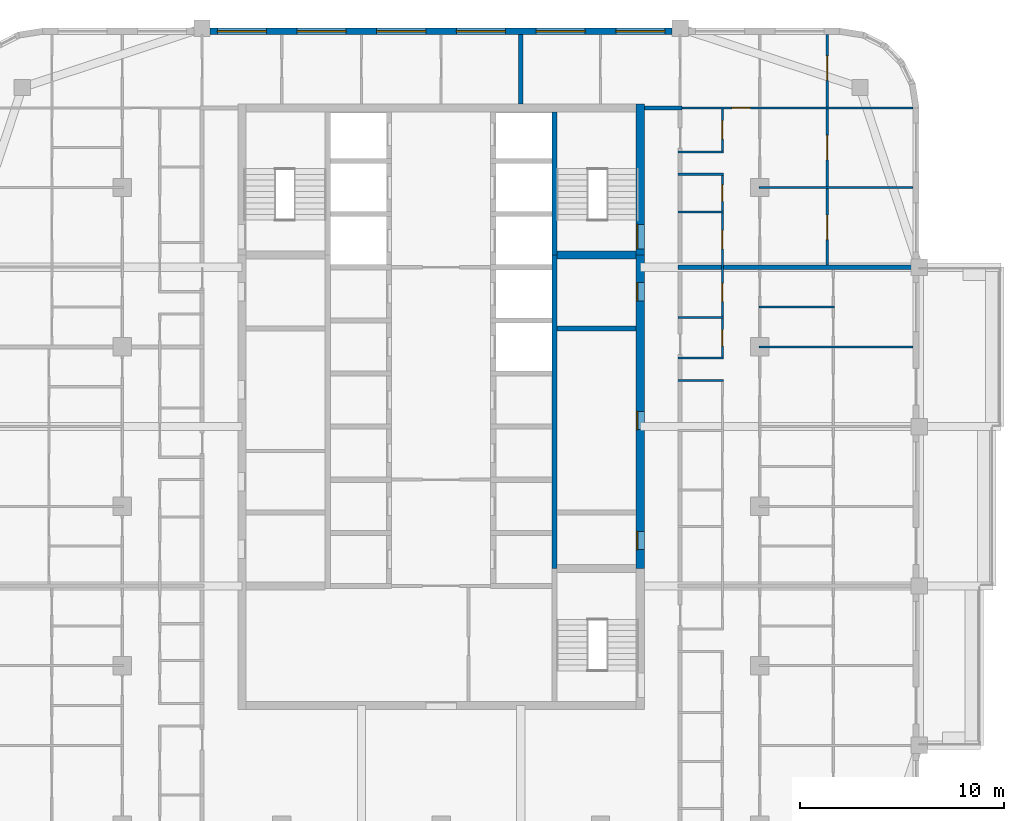
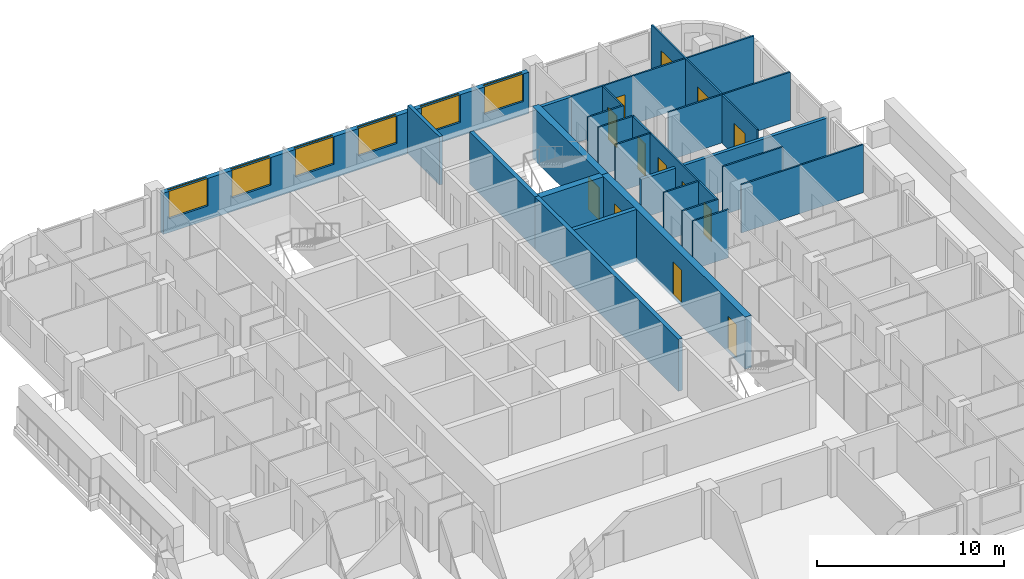
# One storey, part 11 of 16: 23 walls, 13 doors, 6 windows, 19 openings.
"""IFC4 building model written with IfcOpenShell, lengths in metres."""

from ifc_helpers import new_model, si_unit, direction, frame, frame_2d, origin, place, context, subcontext, project, spatial, rectangle, extrude, material, layer, layer_set, type_object, element, fill, save


model = new_model("IFC4")

# Units and contexts
model_context = context("Model", 3, precision=1e-05, world=origin(), true_north=direction((0.0, 1.0)))
body_context = subcontext(model_context, "Body", "Model", "MODEL_VIEW")
ifc_project = project(units=[si_unit("LENGTHUNIT", "METRE"), si_unit("AREAUNIT", "SQUARE_METRE"), si_unit("VOLUMEUNIT", "CUBIC_METRE"), si_unit("PLANEANGLEUNIT", "RADIAN"), si_unit("MASSUNIT", "GRAM", prefix="KILO")], contexts=[model_context])

# Site, building, storey
site_placement = place(None, origin())
site = spatial("IfcSite", under=ifc_project, at=site_placement, CompositionType="ELEMENT")
building_placement = place(site_placement, origin())
building = spatial("IfcBuilding", under=site, at=building_placement, Name="Ludao Terraces", CompositionType="ELEMENT")
storey_placement = place(building_placement, frame((0.0, 0.0, 224.5)))
storey = spatial("IfcBuildingStorey", under=building, at=storey_placement, Name="L61", CompositionType="ELEMENT", Elevation=224.5)

# Wall, openings, doors
ifc_material_1 = material(Name="Concrete C50", Category="concrete")
ifc_layer_1 = layer(ifc_material_1, 0.39990234375)
ifc_layer_set_1 = layer_set([ifc_layer_1], Name="Core wall 400 C50")
wall_type_1 = type_object("IfcWallType", Name="Core wall 400 C50", PredefinedType="SOLIDWALL", material=ifc_layer_set_1)
wall_1_placement = place(storey_placement, frame((94.75, 61.949951171875, -0.25), z_axis=(0.0, 0.0, 1.0), x_axis=(0.0, 1.0, 0.0)))
wall_1 = element("IfcWall", 1, at=wall_1_placement, inside=storey, type_object=wall_type_1, Name="Core wall L61 outer-E", PredefinedType="SOLIDWALL", context=body_context, shape_type="SweptSolid", body=[
    extrude(rectangle(XDim=15.35009765625, YDim=0.39990234375, at=frame_2d((7.675048828125, 0.0))), origin(), (0.0, 0.0, 1.0), 3.39990234375),
])
opening_1_placement = place(wall_1_placement, frame((0.925048828125, 0.0, 0.25)))
opening_1 = element("IfcOpeningElement", 2, at=opening_1_placement, cuts=wall_1, Name="Opening R22-055", PredefinedType="OPENING", context=body_context, shape_type="SweptSolid", body=[
    extrude(rectangle(XDim=0.89990234375, YDim=2.10009765625, at=frame_2d((0.449951171875, 1.050048828125))), frame((0.0, 0.2099609375, 0.0), z_axis=(0.0, -1.0, 0.0), x_axis=(1.0, 0.0, 0.0)), (0.0, 0.0, 1.0), 0.419921875),
])
opening_2_placement = place(wall_1_placement, frame((6.800048828125, 0.0, 0.25)))
opening_2 = element("IfcOpeningElement", 3, at=opening_2_placement, cuts=wall_1, Name="Opening R22-076", PredefinedType="OPENING", context=body_context, shape_type="SweptSolid", body=[
    extrude(rectangle(XDim=0.89990234375, YDim=2.10009765625, at=frame_2d((0.449951171875, 1.050048828125))), frame((0.0, 0.2099609375, 0.0), z_axis=(0.0, -1.0, 0.0), x_axis=(1.0, 0.0, 0.0)), (0.0, 0.0, 1.0), 0.419921875),
])
opening_3_placement = place(wall_1_placement, frame((13.10009765625, 0.0, 0.25)))
opening_3 = element("IfcOpeningElement", 4, at=opening_3_placement, cuts=wall_1, Name="Opening R22-098", PredefinedType="OPENING", context=body_context, shape_type="SweptSolid", body=[
    extrude(rectangle(XDim=0.89990234375, YDim=2.10009765625, at=frame_2d((0.449951171875, 1.050048828125))), frame((0.0, 0.2099609375, 0.0), z_axis=(0.0, -1.0, 0.0), x_axis=(1.0, 0.0, 0.0)), (0.0, 0.0, 1.0), 0.419921875),
])
ifc_material_2 = material(Name="Steel Q235", Category="steel")
door_type_1 = type_object("IfcDoorType", Name="INT Riser door 900", OperationType="SINGLE_SWING_LEFT", PredefinedType="DOOR", material=ifc_material_2)
door_1_placement = place(opening_1_placement, origin())
door_1 = element("IfcDoor", 5, at=door_1_placement, inside=storey, type_object=door_type_1, Name="DOOR 055", OperationType="SINGLE_SWING_LEFT", OverallHeight=2.10009765625, OverallWidth=0.89990234375, PredefinedType="DOOR", context=body_context, shape_type="SweptSolid", body=[
    extrude(rectangle(XDim=0.89990234375, YDim=2.10009765625, at=frame_2d((0.449951171875, 1.050048828125))), frame((0.0, 0.18505859375, 0.0), z_axis=(0.0, -1.0, 0.0), x_axis=(1.0, 0.0, 0.0)), (0.0, 0.0, 1.0), 0.050048828125),
])
fill(opening_1, door_1)
door_2_placement = place(opening_3_placement, origin())
door_2 = element("IfcDoor", 6, at=door_2_placement, inside=storey, type_object=door_type_1, Name="DOOR 098", OperationType="SINGLE_SWING_RIGHT", OverallHeight=2.10009765625, OverallWidth=0.89990234375, PredefinedType="DOOR", context=body_context, shape_type="SweptSolid", body=[
    extrude(rectangle(XDim=0.89990234375, YDim=2.10009765625, at=frame_2d((0.449951171875, 1.050048828125))), frame((0.0, 0.18505859375, 0.0), z_axis=(0.0, -1.0, 0.0), x_axis=(1.0, 0.0, 0.0)), (0.0, 0.0, 1.0), 0.050048828125),
])
fill(opening_3, door_2)
ifc_material_3 = material(Name="Timber door leaf", Category="wood")
door_type_2 = type_object("IfcDoorType", Name="INT Room door 900", OperationType="SINGLE_SWING_LEFT", PredefinedType="DOOR", material=ifc_material_3)
door_3_placement = place(opening_2_placement, origin())
door_3 = element("IfcDoor", 7, at=door_3_placement, inside=storey, type_object=door_type_2, Name="DOOR 076", OperationType="SINGLE_SWING_LEFT", OverallHeight=2.10009765625, OverallWidth=0.89990234375, PredefinedType="DOOR", context=body_context, shape_type="SweptSolid", body=[
    extrude(rectangle(XDim=0.89990234375, YDim=2.10009765625, at=frame_2d((0.449951171875, 1.050048828125))), frame((0.0, 0.18505859375, 0.0), z_axis=(0.0, -1.0, 0.0), x_axis=(1.0, 0.0, 0.0)), (0.0, 0.0, 1.0), 0.050048828125),
])
fill(opening_2, door_3)

# Wall, opening, door
wall_2_placement = place(storey_placement, frame((94.75, 77.300048828125, -0.25), z_axis=(0.0, 0.0, 1.0), x_axis=(0.0, 1.0, 0.0)))
wall_2 = element("IfcWall", 8, at=wall_2_placement, inside=storey, type_object=wall_type_1, Name="Core wall L61 outer-E-S2", PredefinedType="SOLIDWALL", context=body_context, shape_type="SweptSolid", body=[
    extrude(rectangle(XDim=7.39990234375, YDim=0.39990234375, at=frame_2d((3.699951171875, 0.0))), origin(), (0.0, 0.0, 1.0), 3.39990234375),
])
opening_4_placement = place(wall_2_placement, frame((0.300048828125, 0.0, 0.25)))
opening_4 = element("IfcOpeningElement", 9, at=opening_4_placement, cuts=wall_2, Name="Opening R22-110", PredefinedType="OPENING", context=body_context, shape_type="SweptSolid", body=[
    extrude(rectangle(XDim=1.199951171875, YDim=2.10009765625, at=frame_2d((0.60009765625, 1.050048828125))), frame((0.0, 0.2099609375, 0.0), z_axis=(0.0, -1.0, 0.0), x_axis=(1.0, 0.0, 0.0)), (0.0, 0.0, 1.0), 0.419921875),
])
door_type_3 = type_object("IfcDoorType", Name="INT Stair door 1200", OperationType="DOUBLE_DOOR_SINGLE_SWING", PredefinedType="DOOR", material=ifc_material_2)
door_4_placement = place(opening_4_placement, origin())
door_4 = element("IfcDoor", 10, at=door_4_placement, inside=storey, type_object=door_type_3, Name="DOOR 110", OperationType="DOUBLE_DOOR_SINGLE_SWING", OverallHeight=2.10009765625, OverallWidth=1.199951171875, PredefinedType="DOOR", context=body_context, shape_type="SweptSolid", body=[
    extrude(rectangle(XDim=1.199951171875, YDim=2.10009765625, at=frame_2d((0.60009765625, 1.050048828125))), frame((0.0, 0.18505859375, 0.0), z_axis=(0.0, -1.0, 0.0), x_axis=(1.0, 0.0, 0.0)), (0.0, 0.0, 1.0), 0.050048828125),
])
fill(opening_4, door_4)

# Wall, openings, windows
ifc_material_4 = material(Name="Granite cladding", Category="masonry")
ifc_layer_2 = layer(ifc_material_4, 0.0400390625, Category="stone")
ifc_material_5 = material(Name="Mineral wool")
ifc_layer_3 = layer(ifc_material_5, 0.06005859375)
ifc_material_6 = material(Name="Concrete C40", Category="concrete")
ifc_layer_4 = layer(ifc_material_6, 0.199951171875, Category="concrete")
ifc_layer_set_2 = layer_set([ifc_layer_2, ifc_layer_3, ifc_layer_4], Name="ENV Stone-clad wall 300")
wall_type_2 = type_object("IfcWallType", Name="ENV Stone-clad wall 300", PredefinedType="SOLIDWALL", material=ifc_layer_set_2)
wall_3_placement = place(storey_placement, frame((73.699951171875, 88.25, 0.0), z_axis=(0.0, 0.0, 1.0), x_axis=(1.0, 0.0, 0.0)))
wall_3 = element("IfcWall", 11, at=wall_3_placement, inside=storey, type_object=wall_type_2, Name="EW-L61-N2", PredefinedType="SOLIDWALL", context=body_context, shape_type="SweptSolid", body=[
    extrude(rectangle(XDim=22.60009765625, YDim=0.300048828125, at=frame_2d((11.300048828125, 0.0))), origin(), (0.0, 0.0, 1.0), 2.699951171875),
])
opening_5_placement = place(wall_3_placement, frame((0.35009765625, 0.0, 0.89990234375)))
opening_5 = element("IfcOpeningElement", 12, at=opening_5_placement, cuts=wall_3, Name="Opening W1", PredefinedType="OPENING", context=body_context, shape_type="SweptSolid", body=[
    extrude(rectangle(XDim=2.39990234375, YDim=1.800048828125, at=frame_2d((1.199951171875, 0.89990234375))), frame((0.0, 0.16015625, 0.0), z_axis=(0.0, -1.0, 0.0), x_axis=(1.0, 0.0, 0.0)), (0.0, 0.0, 1.0), 0.320068359375),
])
opening_6_placement = place(wall_3_placement, frame((4.25, 0.0, 0.89990234375)))
opening_6 = element("IfcOpeningElement", 13, at=opening_6_placement, cuts=wall_3, Name="Opening W1", PredefinedType="OPENING", context=body_context, shape_type="SweptSolid", body=[
    extrude(rectangle(XDim=2.39990234375, YDim=1.800048828125, at=frame_2d((1.199951171875, 0.89990234375))), frame((0.0, 0.16015625, 0.0), z_axis=(0.0, -1.0, 0.0), x_axis=(1.0, 0.0, 0.0)), (0.0, 0.0, 1.0), 0.320068359375),
])
opening_7_placement = place(wall_3_placement, frame((8.14990234375, 0.0, 0.89990234375)))
opening_7 = element("IfcOpeningElement", 14, at=opening_7_placement, cuts=wall_3, Name="Opening W1", PredefinedType="OPENING", context=body_context, shape_type="SweptSolid", body=[
    extrude(rectangle(XDim=2.39990234375, YDim=1.800048828125, at=frame_2d((1.199951171875, 0.89990234375))), frame((0.0, 0.16015625, 0.0), z_axis=(0.0, -1.0, 0.0), x_axis=(1.0, 0.0, 0.0)), (0.0, 0.0, 1.0), 0.320068359375),
])
opening_8_placement = place(wall_3_placement, frame((12.050048828125, 0.0, 0.89990234375)))
opening_8 = element("IfcOpeningElement", 15, at=opening_8_placement, cuts=wall_3, Name="Opening W1", PredefinedType="OPENING", context=body_context, shape_type="SweptSolid", body=[
    extrude(rectangle(XDim=2.39990234375, YDim=1.800048828125, at=frame_2d((1.199951171875, 0.89990234375))), frame((0.0, 0.16015625, 0.0), z_axis=(0.0, -1.0, 0.0), x_axis=(1.0, 0.0, 0.0)), (0.0, 0.0, 1.0), 0.320068359375),
])
opening_9_placement = place(wall_3_placement, frame((15.949951171875, 0.0, 0.89990234375)))
opening_9 = element("IfcOpeningElement", 16, at=opening_9_placement, cuts=wall_3, Name="Opening W1", PredefinedType="OPENING", context=body_context, shape_type="SweptSolid", body=[
    extrude(rectangle(XDim=2.39990234375, YDim=1.800048828125, at=frame_2d((1.199951171875, 0.89990234375))), frame((0.0, 0.16015625, 0.0), z_axis=(0.0, -1.0, 0.0), x_axis=(1.0, 0.0, 0.0)), (0.0, 0.0, 1.0), 0.320068359375),
])
opening_10_placement = place(wall_3_placement, frame((19.85009765625, 0.0, 0.89990234375)))
opening_10 = element("IfcOpeningElement", 17, at=opening_10_placement, cuts=wall_3, Name="Opening W1", PredefinedType="OPENING", context=body_context, shape_type="SweptSolid", body=[
    extrude(rectangle(XDim=2.39990234375, YDim=1.800048828125, at=frame_2d((1.199951171875, 0.89990234375))), frame((0.0, 0.16015625, 0.0), z_axis=(0.0, -1.0, 0.0), x_axis=(1.0, 0.0, 0.0)), (0.0, 0.0, 1.0), 0.320068359375),
])
ifc_material_7 = material(Name="Clear glass in aluminium frame", Category="aluminium")
ifc_layer_5 = layer(ifc_material_7, 0.06005859375)
ifc_layer_set_3 = layer_set([ifc_layer_5], Name="ENV Window W1 2400x1800")
window_type = type_object("IfcWindowType", Name="ENV Window W1 2400x1800", PartitioningType="DOUBLE_PANEL_VERTICAL", PredefinedType="WINDOW", material=ifc_layer_set_3)
window_1_placement = place(opening_5_placement, origin())
window_1 = element("IfcWindow", 18, at=window_1_placement, inside=storey, type_object=window_type, Name="W-L61-N2-1", OverallHeight=1.800048828125, OverallWidth=2.39990234375, PartitioningType="DOUBLE_PANEL_VERTICAL", PredefinedType="WINDOW", context=body_context, shape_type="SweptSolid", body=[
    extrude(rectangle(XDim=2.39990234375, YDim=1.800048828125, at=frame_2d((1.199951171875, 0.89990234375))), frame((0.0, 0.030029296875, 0.0), z_axis=(0.0, -1.0, 0.0), x_axis=(1.0, 0.0, 0.0)), (0.0, 0.0, 1.0), 0.06005859375),
])
fill(opening_5, window_1)
window_2_placement = place(opening_6_placement, origin())
window_2 = element("IfcWindow", 19, at=window_2_placement, inside=storey, type_object=window_type, Name="W-L61-N2-2", OverallHeight=1.800048828125, OverallWidth=2.39990234375, PartitioningType="DOUBLE_PANEL_VERTICAL", PredefinedType="WINDOW", context=body_context, shape_type="SweptSolid", body=[
    extrude(rectangle(XDim=2.39990234375, YDim=1.800048828125, at=frame_2d((1.199951171875, 0.89990234375))), frame((0.0, 0.030029296875, 0.0), z_axis=(0.0, -1.0, 0.0), x_axis=(1.0, 0.0, 0.0)), (0.0, 0.0, 1.0), 0.06005859375),
])
fill(opening_6, window_2)
window_3_placement = place(opening_7_placement, origin())
window_3 = element("IfcWindow", 20, at=window_3_placement, inside=storey, type_object=window_type, Name="W-L61-N2-3", OverallHeight=1.800048828125, OverallWidth=2.39990234375, PartitioningType="DOUBLE_PANEL_VERTICAL", PredefinedType="WINDOW", context=body_context, shape_type="SweptSolid", body=[
    extrude(rectangle(XDim=2.39990234375, YDim=1.800048828125, at=frame_2d((1.199951171875, 0.89990234375))), frame((0.0, 0.030029296875, 0.0), z_axis=(0.0, -1.0, 0.0), x_axis=(1.0, 0.0, 0.0)), (0.0, 0.0, 1.0), 0.06005859375),
])
fill(opening_7, window_3)
window_4_placement = place(opening_8_placement, origin())
window_4 = element("IfcWindow", 21, at=window_4_placement, inside=storey, type_object=window_type, Name="W-L61-N2-4", OverallHeight=1.800048828125, OverallWidth=2.39990234375, PartitioningType="DOUBLE_PANEL_VERTICAL", PredefinedType="WINDOW", context=body_context, shape_type="SweptSolid", body=[
    extrude(rectangle(XDim=2.39990234375, YDim=1.800048828125, at=frame_2d((1.199951171875, 0.89990234375))), frame((0.0, 0.030029296875, 0.0), z_axis=(0.0, -1.0, 0.0), x_axis=(1.0, 0.0, 0.0)), (0.0, 0.0, 1.0), 0.06005859375),
])
fill(opening_8, window_4)
window_5_placement = place(opening_9_placement, origin())
window_5 = element("IfcWindow", 22, at=window_5_placement, inside=storey, type_object=window_type, Name="W-L61-N2-5", OverallHeight=1.800048828125, OverallWidth=2.39990234375, PartitioningType="DOUBLE_PANEL_VERTICAL", PredefinedType="WINDOW", context=body_context, shape_type="SweptSolid", body=[
    extrude(rectangle(XDim=2.39990234375, YDim=1.800048828125, at=frame_2d((1.199951171875, 0.89990234375))), frame((0.0, 0.030029296875, 0.0), z_axis=(0.0, -1.0, 0.0), x_axis=(1.0, 0.0, 0.0)), (0.0, 0.0, 1.0), 0.06005859375),
])
fill(opening_9, window_5)
window_6_placement = place(opening_10_placement, origin())
window_6 = element("IfcWindow", 23, at=window_6_placement, inside=storey, type_object=window_type, Name="W-L61-N2-6", OverallHeight=1.800048828125, OverallWidth=2.39990234375, PartitioningType="DOUBLE_PANEL_VERTICAL", PredefinedType="WINDOW", context=body_context, shape_type="SweptSolid", body=[
    extrude(rectangle(XDim=2.39990234375, YDim=1.800048828125, at=frame_2d((1.199951171875, 0.89990234375))), frame((0.0, 0.030029296875, 0.0), z_axis=(0.0, -1.0, 0.0), x_axis=(1.0, 0.0, 0.0)), (0.0, 0.0, 1.0), 0.06005859375),
])
fill(opening_10, window_6)

# Walls
ifc_material_8 = material(Name="Autoclaved aerated concrete block B06 A3.5", Category="concrete")
ifc_layer_6 = layer(ifc_material_8, 0.199951171875)
ifc_layer_set_4 = layer_set([ifc_layer_6], Name="INT Entrance wall 200")
wall_type_3 = type_object("IfcWallType", Name="INT Entrance wall 200", PredefinedType="PARTITIONING", material=ifc_layer_set_4)
wall_4_placement = place(storey_placement, frame((94.9501953125, 84.5, 0.0), z_axis=(0.0, 0.0, 1.0), x_axis=(1.0, 0.0, 0.0)))
element("IfcWall", 24, at=wall_4_placement, inside=storey, type_object=wall_type_3, Name="PW-L61-PW067", PredefinedType="PARTITIONING", context=body_context, shape_type="SweptSolid", body=[
    extrude(rectangle(XDim=1.849853515625, YDim=0.199951171875, at=frame_2d((0.9248046875, 0.0))), origin(), (0.0, 0.0, 1.0), 3.14990234375),
])
ifc_material_9 = material(Name="Gypsum plasterboard", Category="gypsum")
ifc_layer_7 = layer(ifc_material_9, 0.012451171875, Category="gypsum")
ifc_layer_8 = layer(ifc_material_5, 0.06005859375, Name="insulation")
ifc_layer_9 = layer(ifc_material_2, 0.014892578125, Name="stud")
ifc_layer_10 = layer(ifc_material_9, 0.012451171875, Category="gypsum")
ifc_layer_set_5 = layer_set([ifc_layer_7, ifc_layer_8, ifc_layer_9, ifc_layer_10], Name="INT Partition 100")
wall_type_4 = type_object("IfcWallType", Name="INT Partition 100", PredefinedType="PARTITIONING", material=ifc_layer_set_5)
for number, where, z_axis, x_axis, name in (
    (25, (96.60009765625, 71.14990234375, 0.0), (0.0, 0.0, 1.0), (1.0, 0.0, 0.0), "PW-L61-PW045"),
    (26, (96.60009765625, 72.25, 0.0), (0.0, 0.0, 1.0), (1.0, 0.0, 0.0), "PW-L61-PW046"),
):
    element("IfcWall", number, at=place(storey_placement, frame(where, z_axis=z_axis, x_axis=x_axis)), inside=storey, type_object=wall_type_4, Name=name, PredefinedType="PARTITIONING", context=body_context, shape_type="SweptSolid", body=[
        extrude(rectangle(XDim=2.219970703125, YDim=0.10009765625, at=frame_2d((1.10986328125, 0.0))), origin(), (0.0, 0.0, 1.0), 3.14990234375),
    ])
wall_5_placement = place(storey_placement, frame((100.550048828125, 72.800048828125, 0.0), z_axis=(0.0, 0.0, 1.0), x_axis=(1.0, 0.0, 0.0)))
element("IfcWall", 27, at=wall_5_placement, inside=storey, type_object=wall_type_4, Name="PW-L61-PW048", PredefinedType="PARTITIONING", context=body_context, shape_type="SweptSolid", body=[
    extrude(rectangle(XDim=7.550048828125, YDim=0.10009765625, at=frame_2d((3.77490234375, 0.0))), origin(), (0.0, 0.0, 1.0), 3.14990234375),
])
wall_6_placement = place(storey_placement, frame((96.60009765625, 74.22998046875, 0.0), z_axis=(0.0, 0.0, 1.0), x_axis=(1.0, 0.0, 0.0)))
element("IfcWall", 28, at=wall_6_placement, inside=storey, type_object=wall_type_4, Name="PW-L61-PW049", PredefinedType="PARTITIONING", context=body_context, shape_type="SweptSolid", body=[
    extrude(rectangle(XDim=2.219970703125, YDim=0.10009765625, at=frame_2d((1.10986328125, 0.0))), origin(), (0.0, 0.0, 1.0), 3.14990234375),
])
wall_7_placement = place(storey_placement, frame((100.550048828125, 74.75, 0.0), z_axis=(0.0, 0.0, 1.0), x_axis=(1.0, 0.0, 0.0)))
element("IfcWall", 29, at=wall_7_placement, inside=storey, type_object=wall_type_4, Name="PW-L61-PW052", PredefinedType="PARTITIONING", context=body_context, shape_type="SweptSolid", body=[
    extrude(rectangle(XDim=3.699951171875, YDim=0.10009765625, at=frame_2d((1.85009765625, 0.0))), origin(), (0.0, 0.0, 1.0), 3.14990234375),
])
wall_8_placement = place(storey_placement, frame((96.60009765625, 79.39990234375, 0.0), z_axis=(0.0, 0.0, 1.0), x_axis=(1.0, 0.0, 0.0)))
element("IfcWall", 30, at=wall_8_placement, inside=storey, type_object=wall_type_4, Name="PW-L61-PW058", PredefinedType="PARTITIONING", context=body_context, shape_type="SweptSolid", body=[
    extrude(rectangle(XDim=2.219970703125, YDim=0.10009765625, at=frame_2d((1.10986328125, 0.0))), origin(), (0.0, 0.0, 1.0), 3.14990234375),
])
wall_9_placement = place(storey_placement, frame((100.550048828125, 80.60009765625, 0.0), z_axis=(0.0, 0.0, 1.0), x_axis=(1.0, 0.0, 0.0)))
element("IfcWall", 31, at=wall_9_placement, inside=storey, type_object=wall_type_4, Name="PW-L61-PW060", PredefinedType="PARTITIONING", context=body_context, shape_type="SweptSolid", body=[
    extrude(rectangle(XDim=7.550048828125, YDim=0.10009765625, at=frame_2d((3.77490234375, 0.0))), origin(), (0.0, 0.0, 1.0), 3.14990234375),
])
for number, where, z_axis, x_axis, name in (
    (32, (96.60009765625, 81.25, 0.0), (0.0, 0.0, 1.0), (1.0, 0.0, 0.0), "PW-L61-PW061"),
    (33, (96.60009765625, 82.35009765625, 0.0), (0.0, 0.0, 1.0), (1.0, 0.0, 0.0), "PW-L61-PW063"),
):
    element("IfcWall", number, at=place(storey_placement, frame(where, z_axis=z_axis, x_axis=x_axis)), inside=storey, type_object=wall_type_4, Name=name, PredefinedType="PARTITIONING", context=body_context, shape_type="SweptSolid", body=[
        extrude(rectangle(XDim=2.219970703125, YDim=0.10009765625, at=frame_2d((1.10986328125, 0.0))), origin(), (0.0, 0.0, 1.0), 3.14990234375),
    ])

# Wall, opening, door
wall_10_placement = place(storey_placement, frame((96.60009765625, 84.5, 0.0), z_axis=(0.0, 0.0, 1.0), x_axis=(1.0, 0.0, 0.0)))
wall_10 = element("IfcWall", 34, at=wall_10_placement, inside=storey, type_object=wall_type_4, Name="PW-L61-PW068", PredefinedType="PARTITIONING", context=body_context, shape_type="SweptSolid", body=[
    extrude(rectangle(XDim=11.5, YDim=0.10009765625, at=frame_2d((5.75, 0.0))), origin(), (0.0, 0.0, 1.0), 3.14990234375),
])
opening_11_placement = place(wall_10_placement, frame((2.635009765625, 0.0, 0.0)))
opening_11 = element("IfcOpeningElement", 35, at=opening_11_placement, cuts=wall_10, Name="Opening R22-130", PredefinedType="OPENING", context=body_context, shape_type="SweptSolid", body=[
    extrude(rectangle(XDim=0.89990234375, YDim=2.10009765625, at=frame_2d((0.449951171875, 1.050048828125))), frame((0.0, 0.06005859375, 0.0), z_axis=(0.0, -1.0, 0.0), x_axis=(1.0, 0.0, 0.0)), (0.0, 0.0, 1.0), 0.1201171875),
])
door_5_placement = place(opening_11_placement, origin())
door_5 = element("IfcDoor", 36, at=door_5_placement, inside=storey, type_object=door_type_2, Name="DOOR 130", OperationType="SINGLE_SWING_LEFT", OverallHeight=2.10009765625, OverallWidth=0.89990234375, PredefinedType="DOOR", context=body_context, shape_type="SweptSolid", body=[
    extrude(rectangle(XDim=0.89990234375, YDim=2.10009765625, at=frame_2d((0.449951171875, 1.050048828125))), frame((0.0, 0.02490234375, 0.0), z_axis=(0.0, -1.0, 0.0), x_axis=(1.0, 0.0, 0.0)), (0.0, 0.0, 1.0), 0.050048828125),
])
fill(opening_11, door_5)

# Wall, openings, doors
wall_11_placement = place(storey_placement, frame((98.77001953125, 72.300048828125, 0.0), z_axis=(0.0, 0.0, 1.0), x_axis=(0.0, 1.0, 0.0)))
wall_11 = element("IfcWall", 37, at=wall_11_placement, inside=storey, type_object=wall_type_4, Name="PW-L61-PW093", PredefinedType="PARTITIONING", context=body_context, shape_type="SweptSolid", body=[
    extrude(rectangle(XDim=8.900146484375, YDim=0.10009765625, at=frame_2d((4.4501953125, 0.0))), origin(), (0.0, 0.0, 1.0), 3.14990234375),
])
opening_12_placement = place(wall_11_placement, frame((0.5400390625, 0.0, 0.0)))
opening_12 = element("IfcOpeningElement", 38, at=opening_12_placement, cuts=wall_11, Name="Opening R22-090", PredefinedType="OPENING", context=body_context, shape_type="SweptSolid", body=[
    extrude(rectangle(XDim=0.800048828125, YDim=2.10009765625, at=frame_2d((0.39990234375, 1.050048828125))), frame((0.0, 0.06005859375, 0.0), z_axis=(0.0, -1.0, 0.0), x_axis=(1.0, 0.0, 0.0)), (0.0, 0.0, 1.0), 0.1201171875),
])
opening_13_placement = place(wall_11_placement, frame((2.715087890625, 0.0, 0.0)))
opening_13 = element("IfcOpeningElement", 39, at=opening_13_placement, cuts=wall_11, Name="Opening R22-096", PredefinedType="OPENING", context=body_context, shape_type="SweptSolid", body=[
    extrude(rectangle(XDim=0.89990234375, YDim=2.10009765625, at=frame_2d((0.449951171875, 1.050048828125))), frame((0.0, 0.06005859375, 0.0), z_axis=(0.0, -1.0, 0.0), x_axis=(1.0, 0.0, 0.0)), (0.0, 0.0, 1.0), 0.1201171875),
])
opening_14_placement = place(wall_11_placement, frame((5.300048828125, 0.0, 0.0)))
opening_14 = element("IfcOpeningElement", 40, at=opening_14_placement, cuts=wall_11, Name="Opening R22-108", PredefinedType="OPENING", context=body_context, shape_type="SweptSolid", body=[
    extrude(rectangle(XDim=0.89990234375, YDim=2.10009765625, at=frame_2d((0.449951171875, 1.050048828125))), frame((0.0, 0.06005859375, 0.0), z_axis=(0.0, -1.0, 0.0), x_axis=(1.0, 0.0, 0.0)), (0.0, 0.0, 1.0), 0.1201171875),
])
opening_15_placement = place(wall_11_placement, frame((7.625, 0.0, 0.0)))
opening_15 = element("IfcOpeningElement", 41, at=opening_15_placement, cuts=wall_11, Name="Opening R22-116", PredefinedType="OPENING", context=body_context, shape_type="SweptSolid", body=[
    extrude(rectangle(XDim=0.800048828125, YDim=2.10009765625, at=frame_2d((0.39990234375, 1.050048828125))), frame((0.0, 0.06005859375, 0.0), z_axis=(0.0, -1.0, 0.0), x_axis=(1.0, 0.0, 0.0)), (0.0, 0.0, 1.0), 0.1201171875),
])
door_6_placement = place(opening_13_placement, origin())
door_6 = element("IfcDoor", 42, at=door_6_placement, inside=storey, type_object=door_type_2, Name="DOOR 096", OperationType="SINGLE_SWING_RIGHT", OverallHeight=2.10009765625, OverallWidth=0.89990234375, PredefinedType="DOOR", context=body_context, shape_type="SweptSolid", body=[
    extrude(rectangle(XDim=0.89990234375, YDim=2.10009765625, at=frame_2d((0.449951171875, 1.050048828125))), frame((0.0, 0.02490234375, 0.0), z_axis=(0.0, -1.0, 0.0), x_axis=(1.0, 0.0, 0.0)), (0.0, 0.0, 1.0), 0.050048828125),
])
fill(opening_13, door_6)
door_7_placement = place(opening_14_placement, origin())
door_7 = element("IfcDoor", 43, at=door_7_placement, inside=storey, type_object=door_type_2, Name="DOOR 108", OperationType="SINGLE_SWING_LEFT", OverallHeight=2.10009765625, OverallWidth=0.89990234375, PredefinedType="DOOR", context=body_context, shape_type="SweptSolid", body=[
    extrude(rectangle(XDim=0.89990234375, YDim=2.10009765625, at=frame_2d((0.449951171875, 1.050048828125))), frame((0.0, 0.02490234375, 0.0), z_axis=(0.0, -1.0, 0.0), x_axis=(1.0, 0.0, 0.0)), (0.0, 0.0, 1.0), 0.050048828125),
])
fill(opening_14, door_7)
door_type_4 = type_object("IfcDoorType", Name="INT Store door 800", OperationType="SINGLE_SWING_LEFT", PredefinedType="DOOR", material=ifc_material_3)
door_8_placement = place(opening_12_placement, origin())
door_8 = element("IfcDoor", 44, at=door_8_placement, inside=storey, type_object=door_type_4, Name="DOOR 090", OperationType="SINGLE_SWING_LEFT", OverallHeight=2.10009765625, OverallWidth=0.800048828125, PredefinedType="DOOR", context=body_context, shape_type="SweptSolid", body=[
    extrude(rectangle(XDim=0.800048828125, YDim=2.10009765625, at=frame_2d((0.39990234375, 1.050048828125))), frame((0.0, 0.02490234375, 0.0), z_axis=(0.0, -1.0, 0.0), x_axis=(1.0, 0.0, 0.0)), (0.0, 0.0, 1.0), 0.050048828125),
])
fill(opening_12, door_8)
door_9_placement = place(opening_15_placement, origin())
door_9 = element("IfcDoor", 45, at=door_9_placement, inside=storey, type_object=door_type_4, Name="DOOR 116", OperationType="SINGLE_SWING_LEFT", OverallHeight=2.10009765625, OverallWidth=0.800048828125, PredefinedType="DOOR", context=body_context, shape_type="SweptSolid", body=[
    extrude(rectangle(XDim=0.800048828125, YDim=2.10009765625, at=frame_2d((0.39990234375, 1.050048828125))), frame((0.0, 0.02490234375, 0.0), z_axis=(0.0, -1.0, 0.0), x_axis=(1.0, 0.0, 0.0)), (0.0, 0.0, 1.0), 0.050048828125),
])
fill(opening_15, door_9)

# Wall, opening, door
wall_12_placement = place(storey_placement, frame((98.77001953125, 82.400146484375, 0.0), z_axis=(0.0, 0.0, 1.0), x_axis=(0.0, 1.0, 0.0)))
wall_12 = element("IfcWall", 46, at=wall_12_placement, inside=storey, type_object=wall_type_4, Name="PW-L61-PW094", PredefinedType="PARTITIONING", context=body_context, shape_type="SweptSolid", body=[
    extrude(rectangle(XDim=2.050048828125, YDim=0.10009765625, at=frame_2d((1.02490234375, 0.0))), origin(), (0.0, 0.0, 1.0), 3.14990234375),
])
opening_16_placement = place(wall_12_placement, frame((0.574951171875, 0.0, 0.0)))
opening_16 = element("IfcOpeningElement", 47, at=opening_16_placement, cuts=wall_12, Name="Opening R22-126", PredefinedType="OPENING", context=body_context, shape_type="SweptSolid", body=[
    extrude(rectangle(XDim=0.89990234375, YDim=2.10009765625, at=frame_2d((0.449951171875, 1.050048828125))), frame((0.0, 0.06005859375, 0.0), z_axis=(0.0, -1.0, 0.0), x_axis=(1.0, 0.0, 0.0)), (0.0, 0.0, 1.0), 0.1201171875),
])
door_type_5 = type_object("IfcDoorType", Name="INT Bathroom door 900", OperationType="SINGLE_SWING_LEFT", PredefinedType="DOOR", material=ifc_material_3)
door_10_placement = place(opening_16_placement, origin())
door_10 = element("IfcDoor", 48, at=door_10_placement, inside=storey, type_object=door_type_5, Name="DOOR 126", OperationType="SINGLE_SWING_LEFT", OverallHeight=2.10009765625, OverallWidth=0.89990234375, PredefinedType="DOOR", context=body_context, shape_type="SweptSolid", body=[
    extrude(rectangle(XDim=0.89990234375, YDim=2.10009765625, at=frame_2d((0.449951171875, 1.050048828125))), frame((0.0, 0.02490234375, 0.0), z_axis=(0.0, -1.0, 0.0), x_axis=(1.0, 0.0, 0.0)), (0.0, 0.0, 1.0), 0.050048828125),
])
fill(opening_16, door_10)

# Wall, openings, doors
wall_13_placement = place(storey_placement, frame((103.89990234375, 76.800048828125, 0.0), z_axis=(0.0, 0.0, 1.0), x_axis=(0.0, 1.0, 0.0)))
wall_13 = element("IfcWall", 49, at=wall_13_placement, inside=storey, type_object=wall_type_4, Name="PW-L61-PW096", PredefinedType="PARTITIONING", context=body_context, shape_type="SweptSolid", body=[
    extrude(rectangle(XDim=11.300048828125, YDim=0.10009765625, at=frame_2d((5.64990234375, 0.0))), origin(), (0.0, 0.0, 1.0), 3.14990234375),
])
opening_17_placement = place(wall_13_placement, frame((1.25, 0.0, 0.0)))
opening_17 = element("IfcOpeningElement", 50, at=opening_17_placement, cuts=wall_13, Name="Opening R22-114", PredefinedType="OPENING", context=body_context, shape_type="SweptSolid", body=[
    extrude(rectangle(XDim=1.199951171875, YDim=2.10009765625, at=frame_2d((0.60009765625, 1.050048828125))), frame((0.0, 0.06005859375, 0.0), z_axis=(0.0, -1.0, 0.0), x_axis=(1.0, 0.0, 0.0)), (0.0, 0.0, 1.0), 0.1201171875),
])
opening_18_placement = place(wall_13_placement, frame((5.14990234375, 0.0, 0.0)))
opening_18 = element("IfcOpeningElement", 51, at=opening_18_placement, cuts=wall_13, Name="Opening R22-121", PredefinedType="OPENING", context=body_context, shape_type="SweptSolid", body=[
    extrude(rectangle(XDim=1.199951171875, YDim=2.10009765625, at=frame_2d((0.60009765625, 1.050048828125))), frame((0.0, 0.06005859375, 0.0), z_axis=(0.0, -1.0, 0.0), x_axis=(1.0, 0.0, 0.0)), (0.0, 0.0, 1.0), 0.1201171875),
])
opening_19_placement = place(wall_13_placement, frame((9.050048828125, 0.0, 0.0)))
opening_19 = element("IfcOpeningElement", 52, at=opening_19_placement, cuts=wall_13, Name="Opening R22-140", PredefinedType="OPENING", context=body_context, shape_type="SweptSolid", body=[
    extrude(rectangle(XDim=1.199951171875, YDim=2.10009765625, at=frame_2d((0.60009765625, 1.050048828125))), frame((0.0, 0.06005859375, 0.0), z_axis=(0.0, -1.0, 0.0), x_axis=(1.0, 0.0, 0.0)), (0.0, 0.0, 1.0), 0.1201171875),
])
door_type_6 = type_object("IfcDoorType", Name="INT Double door 1200", OperationType="DOUBLE_DOOR_SINGLE_SWING", PredefinedType="DOOR", material=ifc_material_3)
door_11_placement = place(opening_17_placement, origin())
door_11 = element("IfcDoor", 53, at=door_11_placement, inside=storey, type_object=door_type_6, Name="DOOR 114", OperationType="DOUBLE_DOOR_SINGLE_SWING", OverallHeight=2.10009765625, OverallWidth=1.199951171875, PredefinedType="DOOR", context=body_context, shape_type="SweptSolid", body=[
    extrude(rectangle(XDim=1.199951171875, YDim=2.10009765625, at=frame_2d((0.60009765625, 1.050048828125))), frame((0.0, 0.02490234375, 0.0), z_axis=(0.0, -1.0, 0.0), x_axis=(1.0, 0.0, 0.0)), (0.0, 0.0, 1.0), 0.050048828125),
])
fill(opening_17, door_11)
door_12_placement = place(opening_18_placement, origin())
door_12 = element("IfcDoor", 54, at=door_12_placement, inside=storey, type_object=door_type_6, Name="DOOR 121", OperationType="DOUBLE_DOOR_SINGLE_SWING", OverallHeight=2.10009765625, OverallWidth=1.199951171875, PredefinedType="DOOR", context=body_context, shape_type="SweptSolid", body=[
    extrude(rectangle(XDim=1.199951171875, YDim=2.10009765625, at=frame_2d((0.60009765625, 1.050048828125))), frame((0.0, 0.02490234375, 0.0), z_axis=(0.0, -1.0, 0.0), x_axis=(1.0, 0.0, 0.0)), (0.0, 0.0, 1.0), 0.050048828125),
])
fill(opening_18, door_12)
door_13_placement = place(opening_19_placement, origin())
door_13 = element("IfcDoor", 55, at=door_13_placement, inside=storey, type_object=door_type_6, Name="DOOR 140", OperationType="DOUBLE_DOOR_SINGLE_SWING", OverallHeight=2.10009765625, OverallWidth=1.199951171875, PredefinedType="DOOR", context=body_context, shape_type="SweptSolid", body=[
    extrude(rectangle(XDim=1.199951171875, YDim=2.10009765625, at=frame_2d((0.60009765625, 1.050048828125))), frame((0.0, 0.02490234375, 0.0), z_axis=(0.0, -1.0, 0.0), x_axis=(1.0, 0.0, 0.0)), (0.0, 0.0, 1.0), 0.050048828125),
])
fill(opening_19, door_13)

# Walls
ifc_layer_11 = layer(ifc_material_8, 0.199951171875)
ifc_layer_set_6 = layer_set([ifc_layer_11], Name="INT Party wall 200")
wall_type_5 = type_object("IfcWallType", Name="INT Party wall 200", PredefinedType="PARTITIONING", material=ifc_layer_set_6)
wall_14_placement = place(storey_placement, frame((96.60009765625, 76.699951171875, 0.0), z_axis=(0.0, 0.0, 1.0), x_axis=(1.0, 0.0, 0.0)))
element("IfcWall", 56, at=wall_14_placement, inside=storey, type_object=wall_type_5, Name="PW-L61-PW056", PredefinedType="PARTITIONING", context=body_context, shape_type="SweptSolid", body=[
    extrude(rectangle(XDim=11.5, YDim=0.199951171875, at=frame_2d((5.75, 0.0))), origin(), (0.0, 0.0, 1.0), 2.550048828125),
])
wall_15_placement = place(storey_placement, frame((88.89990234375, 84.7001953125, 0.0), z_axis=(0.0, 0.0, 1.0), x_axis=(0.0, 1.0, 0.0)))
element("IfcWall", 57, at=wall_15_placement, inside=storey, type_object=wall_type_5, Name="PW-L61-PW085", PredefinedType="PARTITIONING", context=body_context, shape_type="SweptSolid", body=[
    extrude(rectangle(XDim=3.39990234375, YDim=0.199951171875, at=frame_2d((1.699951171875, 0.0))), origin(), (0.0, 0.0, 1.0), 3.14990234375),
])
ifc_layer_12 = layer(ifc_material_1, 0.25)
ifc_layer_set_7 = layer_set([ifc_layer_12], Name="Shaft wall 250 C50")
wall_type_6 = type_object("IfcWallType", Name="Shaft wall 250 C50", PredefinedType="SOLIDWALL", material=ifc_layer_set_7)
wall_16_placement = place(storey_placement, frame((90.550048828125, 61.949951171875, -0.25), z_axis=(0.0, 0.0, 1.0), x_axis=(0.0, 1.0, 0.0)))
element("IfcWall", 58, at=wall_16_placement, inside=storey, type_object=wall_type_6, Name="Core wall L61 back-E", PredefinedType="SOLIDWALL", context=body_context, shape_type="SweptSolid", body=[
    extrude(rectangle(XDim=15.35009765625, YDim=0.25, at=frame_2d((7.675048828125, 0.0))), origin(), (0.0, 0.0, 1.0), 3.39990234375),
])
wall_17_placement = place(storey_placement, frame((90.550048828125, 77.300048828125, -0.25), z_axis=(0.0, 0.0, 1.0), x_axis=(0.0, 1.0, 0.0)))
element("IfcWall", 59, at=wall_17_placement, inside=storey, type_object=wall_type_6, Name="Core wall L61 back-E-S2", PredefinedType="SOLIDWALL", context=body_context, shape_type="SweptSolid", body=[
    extrude(rectangle(XDim=7.0, YDim=0.25, at=frame_2d((3.5, 0.0))), origin(), (0.0, 0.0, 1.0), 3.39990234375),
])
wall_18_placement = place(storey_placement, frame((90.675048828125, 73.699951171875, -0.25), z_axis=(0.0, 0.0, 1.0), x_axis=(1.0, 0.0, 0.0)))
element("IfcWall", 60, at=wall_18_placement, inside=storey, type_object=wall_type_6, Name="Core wall L61 riser-b-E", PredefinedType="SOLIDWALL", context=body_context, shape_type="SweptSolid", body=[
    extrude(rectangle(XDim=3.875, YDim=0.25, at=frame_2d((1.9375, 0.0))), origin(), (0.0, 0.0, 1.0), 3.39990234375),
])
ifc_layer_13 = layer(ifc_material_1, 0.39990234375)
ifc_layer_set_8 = layer_set([ifc_layer_13], Name="Shaft wall 400 C50")
wall_type_7 = type_object("IfcWallType", Name="Shaft wall 400 C50", PredefinedType="SOLIDWALL", material=ifc_layer_set_8)
wall_19_placement = place(storey_placement, frame((90.675048828125, 77.300048828125, -0.25), z_axis=(0.0, 0.0, 1.0), x_axis=(1.0, 0.0, 0.0)))
element("IfcWall", 61, at=wall_19_placement, inside=storey, type_object=wall_type_7, Name="Core wall L61 stair-E", PredefinedType="SOLIDWALL", context=body_context, shape_type="SweptSolid", body=[
    extrude(rectangle(XDim=3.875, YDim=0.39990234375, at=frame_2d((1.9375, 0.0))), origin(), (0.0, 0.0, 1.0), 3.39990234375),
])

save(model, "model.ifc")
